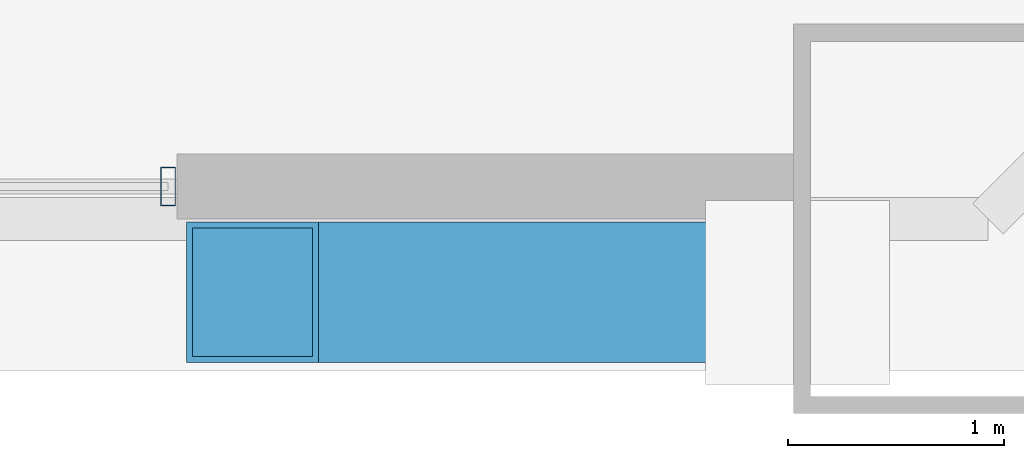
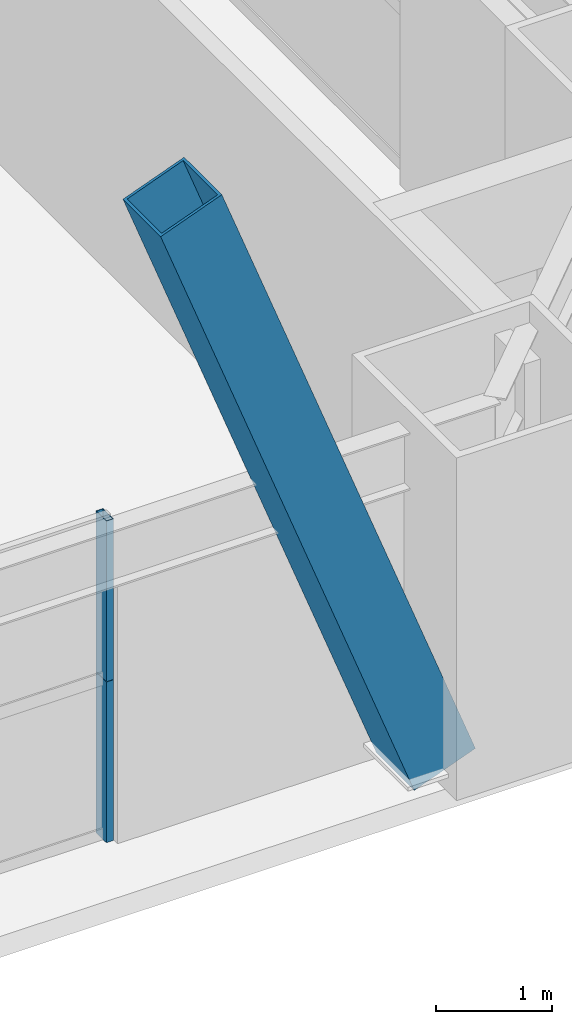
# One storey, part 15 of 43: 3 members, 1 element without a shape of its own.
"""IFC4 building model written with IfcOpenShell, lengths in metres."""

from ifc_helpers import new_model, si_unit, direction, frame, origin, origin_2d, place, context, subcontext, project, spatial, hollow_rectangle, extrude, source, transform, mapped, material, layer, layer_set, material_profile, profile_set, type_object, element, aggregate, save


model = new_model("IFC4")

# Units and contexts
model_context = context("Model", 3, precision=1e-05, world=origin(), true_north=direction((0.0, 1.0)))
body_context = subcontext(model_context, "Body", "Model", "MODEL_VIEW")
ifc_project = project(units=[si_unit("LENGTHUNIT", "METRE"), si_unit("AREAUNIT", "SQUARE_METRE"), si_unit("VOLUMEUNIT", "CUBIC_METRE"), si_unit("PLANEANGLEUNIT", "RADIAN"), si_unit("MASSUNIT", "GRAM", prefix="KILO"), si_unit("THERMODYNAMICTEMPERATUREUNIT", "KELVIN"), si_unit("POWERUNIT", "WATT")], contexts=[model_context])

# Site, building, storey
site_placement = place(None, origin())
site = spatial("IfcSite", under=ifc_project, at=site_placement, CompositionType="ELEMENT")
building_placement = place(site_placement, origin())
building = spatial("IfcBuilding", under=site, at=building_placement, Name="Yuzanri Waterfront Tower", CompositionType="ELEMENT")
storey_placement = place(building_placement, frame((0.0, 0.0, 60.39990234375)))
storey = spatial("IfcBuildingStorey", under=building, at=storey_placement, Name="L15", CompositionType="ELEMENT", Elevation=60.39990234375)

# Member
ifc_material_1 = material(Name="Steel Q420GJC", Category="steel")
ifc_material_profile_1 = material_profile(ifc_material_1, hollow_rectangle(XDim=0.64990234375, YDim=0.64990234375, WallThickness=0.028076171875, at=origin_2d()), Name="RHS 650x650x28")
ifc_profile_set_1 = profile_set([ifc_material_profile_1], Name="Steel Q420GJC")
member_type_1 = type_object("IfcMemberType", Name="Mega Brace Lower Q420GJC RHS 650x650x28", PredefinedType="BRACE", material=ifc_profile_set_1)
shared_shape_1 = source(origin(), body_context, "Body", "SweptSolid", [
    extrude(hollow_rectangle(XDim=0.64990234375, YDim=0.64990234375, WallThickness=0.028076171875, at=origin_2d()), origin(), (0.0, 0.0, 1.0), 7.158203125),
])
member_1_placement = place(storey_placement, frame((57.6201171875, 0.360107421875, 0.18017578125), z_axis=(-0.352046480343, 0.0, 0.935982518896), x_axis=(0.0, -1.0, 0.0)))
element("IfcMember", 1, at=member_1_placement, inside=storey, type_object=member_type_1, Name="L15-L16 Perimeter Mega-Brace S-R", PredefinedType="BRACE", context=body_context, shape_type="MappedRepresentation", body=[
    mapped(shared_shape_1, transform((0.0, 0.0, 0.0), scale=1.0)),
])

# Curtain wall, members
ifc_material_2 = material(Name="Anodized Architectural Bronze", Category="metal")
ifc_layer = layer(ifc_material_2, 0.159912109375)
ifc_layer_set = layer_set([ifc_layer], Name="Anodized Architectural Bronze")
curtain_wall_type = type_object("IfcCurtainWallType", Name="Anodized Bronze Hotel Lower-Tier Recessed Unitized Curtain Wall 8100", PredefinedType="NOTDEFINED", material=ifc_layer_set)
curtain_wall_placement = place(storey_placement, origin())
curtain_wall = element("IfcCurtainWall", 2, at=curtain_wall_placement, inside=storey, type_object=curtain_wall_type, Name="L15 Curtain Wall CW-L15-SR", PredefinedType="NOTDEFINED")
ifc_material_3 = material(Name="Anodized Architectural Bronze", Category="metal")
ifc_material_profile_2 = material_profile(ifc_material_3, hollow_rectangle(XDim=0.070068359375, YDim=0.179931640625, WallThickness=0.00390625, at=origin_2d()), Name="CWM 70x180")
ifc_profile_set_2 = profile_set([ifc_material_profile_2], Name="Anodized Architectural Bronze")
member_type_2 = type_object("IfcMemberType", Name="Anodized Bronze Standard Curtain-Wall Mullion 70x180", PredefinedType="MULLION", material=ifc_profile_set_2)
shared_shape_2 = source(origin(), body_context, "Body", "SweptSolid", [
    extrude(hollow_rectangle(XDim=0.070068359375, YDim=0.179931640625, WallThickness=0.00390625, at=origin_2d()), origin(), (0.0, 0.0, 1.0), 1.68798828125),
])
member_2_placement = place(storey_placement, frame((54.7099609375, 0.85009765625, 0.0), z_axis=(0.0, 0.0, 1.0), x_axis=(1.0, 0.0, 0.0)))
member_2 = element("IfcMember", 3, at=member_2_placement, type_object=member_type_2, Name="CW-L15-SR Lower Mullion 02", PredefinedType="MULLION", context=body_context, shape_type="MappedRepresentation", body=[
    mapped(shared_shape_2, transform((0.0, 0.0, 0.0), scale=1.0)),
])
member_3_placement = place(storey_placement, frame((54.7099609375, 0.85009765625, 1.692138671875), z_axis=(0.0, 0.0, 1.0), x_axis=(1.0, 0.0, 0.0)))
member_3 = element("IfcMember", 4, at=member_3_placement, type_object=member_type_2, Name="CW-L15-SR Upper Mullion 02", PredefinedType="MULLION", context=body_context, shape_type="MappedRepresentation", body=[
    mapped(shared_shape_2, transform((0.0, 0.0, 0.0), scale=1.0)),
])
aggregate(curtain_wall, [member_2, member_3])

save(model, "model.ifc")
